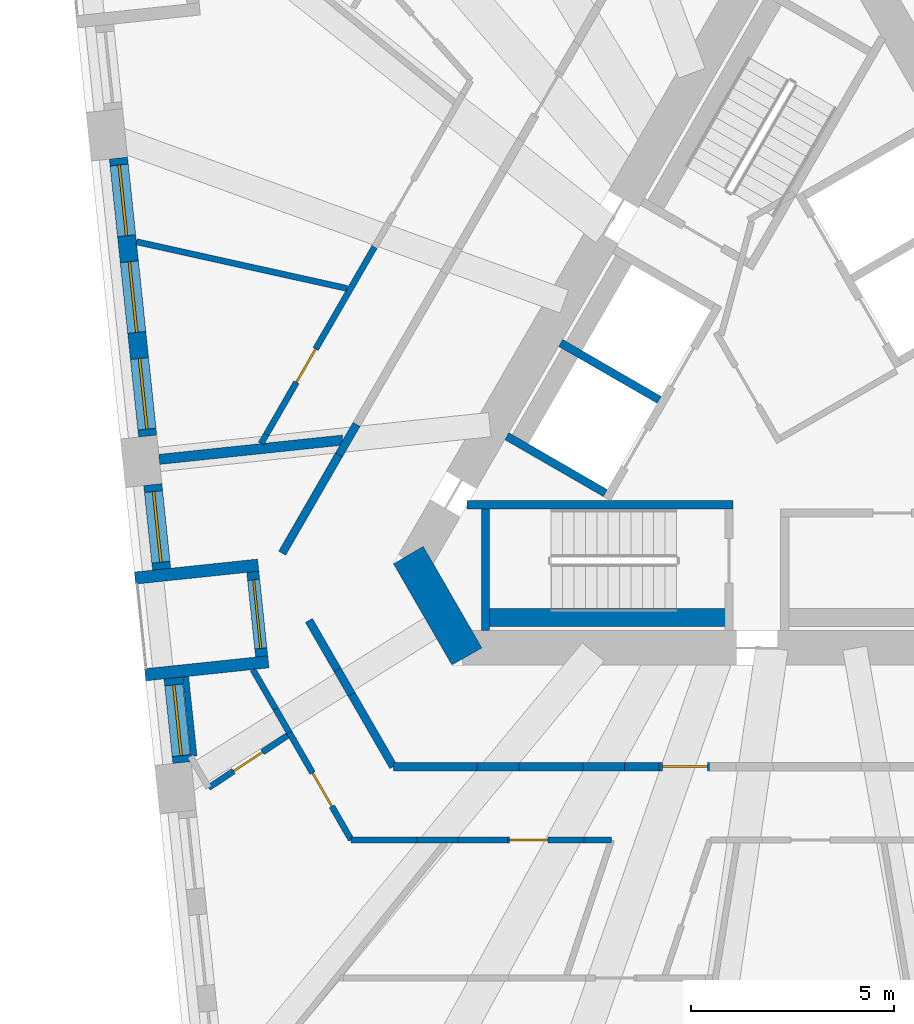
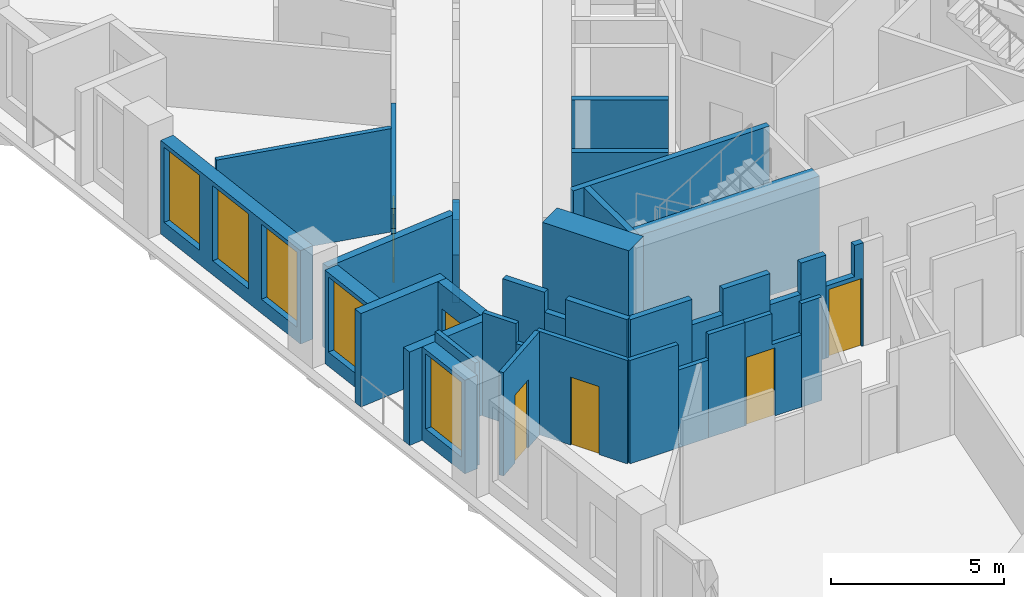
# One storey, part 3 of 14: 37 walls, 6 doors, 5 windows, 11 openings.
"""IFC4 building model written with IfcOpenShell, lengths in metres."""

from ifc_helpers import new_model, si_unit, direction, frame, frame_2d, origin, place, context, subcontext, project, spatial, polyline, rectangle, outline, extrude, material, layer, layer_set, type_object, element, fill, save


model = new_model("IFC4")

# Units and contexts
model_context = context("Model", 3, precision=1e-05, world=origin(), true_north=direction((0.0, 1.0)))
body_context = subcontext(model_context, "Body", "Model", "MODEL_VIEW")
ifc_project = project(units=[si_unit("LENGTHUNIT", "METRE"), si_unit("AREAUNIT", "SQUARE_METRE"), si_unit("VOLUMEUNIT", "CUBIC_METRE"), si_unit("PLANEANGLEUNIT", "RADIAN"), si_unit("MASSUNIT", "GRAM", prefix="KILO")], contexts=[model_context])

# Site, building, storey
site_placement = place(None, origin())
site = spatial("IfcSite", under=ifc_project, at=site_placement, CompositionType="ELEMENT")
building_placement = place(site_placement, origin())
building = spatial("IfcBuilding", under=site, at=building_placement, Name="Tramontana Tower", CompositionType="ELEMENT")
storey_placement = place(building_placement, frame((0.0, 0.0, 166.800048828125)))
storey = spatial("IfcBuildingStorey", under=building, at=storey_placement, Name="L38", CompositionType="ELEMENT", Elevation=166.800048828125)

# Wall
ifc_material_1 = material(Name="Concrete 70 MPa", Category="concrete")
ifc_layer_1 = layer(ifc_material_1, 0.85009765625)
ifc_layer_set_1 = layer_set([ifc_layer_1], Name="Core wall 850 70 MPa")
wall_type_1 = type_object("IfcWallType", Name="Core wall 850 70 MPa", PredefinedType="SHEAR", material=ifc_layer_set_1)
wall_1_placement = place(storey_placement, frame((-9.8798828125, -4.03759765625, 0.0), z_axis=(0.0, 0.0, 1.0), x_axis=(0.499995765644, -0.866027848477, 0.0)))
element("IfcWall", 1, at=wall_1_placement, inside=storey, type_object=wall_type_1, Name="Core wall C2 L38", PredefinedType="SHEAR", context=body_context, shape_type="SweptSolid", body=[
    extrude(rectangle(XDim=2.88671875, YDim=0.85009765625, at=frame_2d((1.443359375, 0.0))), origin(), (0.0, 0.0, 1.0), 4.0),
])

# Wall, opening, door
ifc_material_2 = material(Name="Blockwork", Category="masonry")
ifc_layer_2 = layer(ifc_material_2, 0.199951171875)
ifc_layer_set_2 = layer_set([ifc_layer_2], Name="ENTRY WALL 200")
wall_type_2 = type_object("IfcWallType", Name="ENTRY WALL 200", PredefinedType="SOLIDWALL", material=ifc_layer_set_2)
wall_2_placement = place(storey_placement, frame((-3.713134765625, -9.25, 0.0), z_axis=(0.0, 0.0, 1.0), x_axis=(1.0, 0.0, 0.0)))
wall_2 = element("IfcWall", 2, at=wall_2_placement, inside=storey, type_object=wall_type_2, Name="Wall v40-ew2-7", PredefinedType="SOLIDWALL", context=body_context, shape_type="SweptSolid", body=[
    extrude(outline(polyline([(0.0, 0.0), (1.2451171875, 0.0), (1.2451171875, 3.64990234375), (0.95361328125, 3.64990234375), (0.95361328125, 2.550048828125), (0.0, 2.550048828125), (0.0, 0.0)])), frame((0.0, 0.10009765625, 0.0), z_axis=(0.0, -1.0, 0.0), x_axis=(1.0, 0.0, 0.0)), (0.0, 0.0, 1.0), 0.199951171875),
])
opening_1_placement = place(wall_2_placement, frame((0.09521484375, 0.0, 0.0)))
opening_1 = element("IfcOpeningElement", 3, at=opening_1_placement, cuts=wall_2, Name="Opening B4A-23", PredefinedType="OPENING", context=body_context, shape_type="SweptSolid", body=[
    extrude(rectangle(XDim=1.10009765625, YDim=2.39990234375, at=frame_2d((0.550048828125, 1.199951171875))), frame((0.0, 0.10986328125, 0.0), z_axis=(0.0, -1.0, 0.0), x_axis=(1.0, 0.0, 0.0)), (0.0, 0.0, 1.0), 0.219970703125),
])
ifc_material_3 = material(Name="Painted timber", Category="wood")
door_type_1 = type_object("IfcDoorType", Name="DOOR ENTRY 1100", OperationType="SINGLE_SWING_LEFT", PredefinedType="DOOR", material=ifc_material_3)
door_1_placement = place(opening_1_placement, origin())
door_1 = element("IfcDoor", 4, at=door_1_placement, inside=storey, type_object=door_type_1, Name="Door B4A-23", OperationType="SINGLE_SWING_LEFT", OverallHeight=2.39990234375, OverallWidth=1.10009765625, PredefinedType="DOOR", context=body_context, shape_type="SweptSolid", body=[
    extrude(rectangle(XDim=1.10009765625, YDim=2.39990234375, at=frame_2d((0.550048828125, 1.199951171875))), frame((0.0, 0.02490234375, 0.0), z_axis=(0.0, -1.0, 0.0), x_axis=(1.0, 0.0, 0.0)), (0.0, 0.0, 1.0), 0.050048828125),
])
fill(opening_1, door_1)

# Walls
wall_3_placement = place(storey_placement, frame((-3.713134765625, -9.25, 0.0), z_axis=(0.0, 0.0, 1.0), x_axis=(-1.0, 0.0, 0.0)))
element("IfcWall", 5, at=wall_3_placement, inside=storey, type_object=wall_type_2, Name="Wall v40-ew2-8", PredefinedType="SOLIDWALL", context=body_context, shape_type="SweptSolid", body=[
    extrude(rectangle(XDim=0.84130859375, YDim=0.199951171875, at=frame_2d((0.420654296875, 0.0))), origin(), (0.0, 0.0, 1.0), 3.64990234375),
])
wall_4_placement = place(storey_placement, frame((-4.554443359375, -9.25, 0.0), z_axis=(0.0, 0.0, 1.0), x_axis=(-1.0, 0.0, 0.0)))
element("IfcWall", 6, at=wall_4_placement, inside=storey, type_object=wall_type_2, Name="Wall v40-ew2-9", PredefinedType="SOLIDWALL", context=body_context, shape_type="SweptSolid", body=[
    extrude(rectangle(XDim=1.026123046875, YDim=0.199951171875, at=frame_2d((0.51318359375, 0.0))), origin(), (0.0, 0.0, 1.0), 2.550048828125),
])
wall_5_placement = place(storey_placement, frame((-5.58056640625, -9.25, 0.0), z_axis=(0.0, 0.0, 1.0), x_axis=(-1.0, 0.0, 0.0)))
element("IfcWall", 7, at=wall_5_placement, inside=storey, type_object=wall_type_2, Name="Wall v40-ew2-10", PredefinedType="SOLIDWALL", context=body_context, shape_type="SweptSolid", body=[
    extrude(rectangle(XDim=1.57177734375, YDim=0.199951171875, at=frame_2d((0.785888671875, 0.0))), origin(), (0.0, 0.0, 1.0), 3.64990234375),
])
wall_6_placement = place(storey_placement, frame((-7.15234375, -9.25, 0.0), z_axis=(0.0, 0.0, 1.0), x_axis=(-1.0, 0.0, 0.0)))
element("IfcWall", 8, at=wall_6_placement, inside=storey, type_object=wall_type_2, Name="Wall v40-ew2-11", PredefinedType="SOLIDWALL", context=body_context, shape_type="SweptSolid", body=[
    extrude(rectangle(XDim=1.039306640625, YDim=0.199951171875, at=frame_2d((0.51953125, 0.0))), origin(), (0.0, 0.0, 1.0), 2.75),
])
wall_7_placement = place(storey_placement, frame((-8.191650390625, -9.25, 0.0), z_axis=(0.0, 0.0, 1.0), x_axis=(-1.0, 0.0, 0.0)))
element("IfcWall", 9, at=wall_7_placement, inside=storey, type_object=wall_type_2, Name="Wall v40-ew2-12", PredefinedType="SOLIDWALL", context=body_context, shape_type="SweptSolid", body=[
    extrude(rectangle(XDim=2.056396484375, YDim=0.199951171875, at=frame_2d((1.0283203125, 0.0))), origin(), (0.0, 0.0, 1.0), 3.64990234375),
])
wall_8_placement = place(storey_placement, frame((-10.248046875, -9.25, 0.0), z_axis=(0.0, 0.0, 1.0), x_axis=(-0.499941542975, 0.866059151333, 0.0)))
element("IfcWall", 10, at=wall_8_placement, inside=storey, type_object=wall_type_2, Name="Wall v40-ew3-0", PredefinedType="SOLIDWALL", context=body_context, shape_type="SweptSolid", body=[
    extrude(rectangle(XDim=2.057861328125, YDim=0.199951171875, at=frame_2d((1.02880859375, 0.0))), origin(), (0.0, 0.0, 1.0), 3.64990234375),
])
wall_9_placement = place(storey_placement, frame((-11.27685546875, -7.4677734375, 0.0), z_axis=(0.0, 0.0, 1.0), x_axis=(-0.50022532796, 0.865895271535, 0.0)))
element("IfcWall", 11, at=wall_9_placement, inside=storey, type_object=wall_type_2, Name="Wall v40-ew3-1", PredefinedType="SOLIDWALL", context=body_context, shape_type="SweptSolid", body=[
    extrude(rectangle(XDim=0.700439453125, YDim=0.199951171875, at=frame_2d((0.35009765625, 0.0))), origin(), (0.0, 0.0, 1.0), 2.949951171875),
])
wall_10_placement = place(storey_placement, frame((-11.627197265625, -6.861328125, 0.0), z_axis=(0.0, 0.0, 1.0), x_axis=(-0.49998411664, 0.866034573852, 0.0)))
element("IfcWall", 12, at=wall_10_placement, inside=storey, type_object=wall_type_2, Name="Wall v40-ew3-2", PredefinedType="SOLIDWALL", context=body_context, shape_type="SweptSolid", body=[
    extrude(rectangle(XDim=1.39990234375, YDim=0.199951171875, at=frame_2d((0.699951171875, 0.0))), origin(), (0.0, 0.0, 1.0), 3.64990234375),
])
wall_11_placement = place(storey_placement, frame((-12.986572265625, -3.993408203125, 0.0), z_axis=(0.0, 0.0, 1.0), x_axis=(0.499976698542, 0.86603885647, 0.0)))
element("IfcWall", 13, at=wall_11_placement, inside=storey, type_object=wall_type_2, Name="Wall v40-ew4-0", PredefinedType="SOLIDWALL", context=body_context, shape_type="SweptSolid", body=[
    extrude(rectangle(XDim=2.798583984375, YDim=0.199951171875, at=frame_2d((1.3994140625, 0.0))), origin(), (0.0, 0.0, 1.0), 3.64990234375),
])
wall_12_placement = place(storey_placement, frame((-11.58740234375, -1.56982421875, 0.0), z_axis=(0.0, 0.0, 1.0), x_axis=(0.500023708017, 0.866011715522, 0.0)))
element("IfcWall", 14, at=wall_12_placement, inside=storey, type_object=wall_type_2, Name="Wall v40-ew4-1", PredefinedType="SOLIDWALL", context=body_context, shape_type="SweptSolid", body=[
    extrude(rectangle(XDim=0.865234375, YDim=0.199951171875, at=frame_2d((0.4326171875, 0.0))), origin(), (0.0, 0.0, 1.0), 2.949951171875),
])

# Wall, openings, windows
ifc_material_4 = material(Name="Precast concrete 60 MPa", Category="concrete")
ifc_layer_3 = layer(ifc_material_4, 0.449951171875)
ifc_layer_set_3 = layer_set([ifc_layer_3], Name="Precast concrete 60 MPa, 450 mm")
wall_type_3 = type_object("IfcWallType", Name="EW1 Stone-faced precast wall 450", PredefinedType="SOLIDWALL", material=ifc_layer_set_3)
wall_13_placement = place(storey_placement, frame((-17.017822265625, 5.735595703125, 0.0), z_axis=(0.0, 0.0, 1.0), x_axis=(0.104531531326, -0.994521572898, 0.0)))
wall_13 = element("IfcWall", 15, at=wall_13_placement, inside=storey, type_object=wall_type_3, Name="External wall L38 face 0 bay 3", PredefinedType="SOLIDWALL", context=body_context, shape_type="SweptSolid", body=[
    extrude(rectangle(XDim=6.8828125, YDim=0.449951171875, at=frame_2d((3.44140625, 0.0))), origin(), (0.0, 0.0, 1.0), 3.300048828125),
])
opening_2_placement = place(wall_13_placement, frame((0.172119140625, 0.0, 0.5)))
opening_2 = element("IfcOpeningElement", 16, at=opening_2_placement, cuts=wall_13, Name="Opening M2", PredefinedType="OPENING", context=body_context, shape_type="SweptSolid", body=[
    extrude(rectangle(XDim=1.75, YDim=2.64990234375, at=frame_2d((0.875, 1.324951171875))), frame((0.0, 0.23486328125, 0.0), z_axis=(0.0, -1.0, 0.0), x_axis=(1.0, 0.0, 0.0)), (0.0, 0.0, 1.0), 0.469970703125),
])
opening_3_placement = place(wall_13_placement, frame((2.56640625, 0.0, 0.5)))
opening_3 = element("IfcOpeningElement", 17, at=opening_3_placement, cuts=wall_13, Name="Opening M2", PredefinedType="OPENING", context=body_context, shape_type="SweptSolid", body=[
    extrude(rectangle(XDim=1.75, YDim=2.64990234375, at=frame_2d((0.875, 1.324951171875))), frame((0.0, 0.23486328125, 0.0), z_axis=(0.0, -1.0, 0.0), x_axis=(1.0, 0.0, 0.0)), (0.0, 0.0, 1.0), 0.469970703125),
])
opening_4_placement = place(wall_13_placement, frame((4.960693359375, 0.0, 0.5)))
opening_4 = element("IfcOpeningElement", 18, at=opening_4_placement, cuts=wall_13, Name="Opening M2", PredefinedType="OPENING", context=body_context, shape_type="SweptSolid", body=[
    extrude(rectangle(XDim=1.75, YDim=2.64990234375, at=frame_2d((0.875, 1.324951171875))), frame((0.0, 0.23486328125, 0.0), z_axis=(0.0, -1.0, 0.0), x_axis=(1.0, 0.0, 0.0)), (0.0, 0.0, 1.0), 0.469970703125),
])
ifc_material_5 = material(Name="Aluminum frame, double glazing unit", Category="aluminium")
window_type = type_object("IfcWindowType", Name="M2 Window 1.75 x 2.65", PartitioningType="SINGLE_PANEL", PredefinedType="WINDOW", material=ifc_material_5)
window_1_placement = place(opening_2_placement, origin())
window_1 = element("IfcWindow", 19, at=window_1_placement, inside=storey, type_object=window_type, Name="Window M2 L38 face 0 module 7", OverallHeight=2.64990234375, OverallWidth=1.75, PartitioningType="SINGLE_PANEL", PredefinedType="WINDOW", context=body_context, shape_type="SweptSolid", body=[
    extrude(rectangle(XDim=1.75, YDim=2.64990234375, at=frame_2d((0.875, 1.324951171875))), frame((0.0, 0.030029296875, 0.0), z_axis=(0.0, -1.0, 0.0), x_axis=(1.0, 0.0, 0.0)), (0.0, 0.0, 1.0), 0.06005859375),
])
fill(opening_2, window_1)
window_2_placement = place(opening_3_placement, origin())
window_2 = element("IfcWindow", 20, at=window_2_placement, inside=storey, type_object=window_type, Name="Window M2 L38 face 0 module 8", OverallHeight=2.64990234375, OverallWidth=1.75, PartitioningType="SINGLE_PANEL", PredefinedType="WINDOW", context=body_context, shape_type="SweptSolid", body=[
    extrude(rectangle(XDim=1.75, YDim=2.64990234375, at=frame_2d((0.875, 1.324951171875))), frame((0.0, 0.030029296875, 0.0), z_axis=(0.0, -1.0, 0.0), x_axis=(1.0, 0.0, 0.0)), (0.0, 0.0, 1.0), 0.06005859375),
])
fill(opening_3, window_2)
window_3_placement = place(opening_4_placement, origin())
window_3 = element("IfcWindow", 21, at=window_3_placement, inside=storey, type_object=window_type, Name="Window M2 L38 face 0 module 9", OverallHeight=2.64990234375, OverallWidth=1.75, PartitioningType="SINGLE_PANEL", PredefinedType="WINDOW", context=body_context, shape_type="SweptSolid", body=[
    extrude(rectangle(XDim=1.75, YDim=2.64990234375, at=frame_2d((0.875, 1.324951171875))), frame((0.0, 0.030029296875, 0.0), z_axis=(0.0, -1.0, 0.0), x_axis=(1.0, 0.0, 0.0)), (0.0, 0.0, 1.0), 0.06005859375),
])
fill(opening_4, window_3)

# Wall, opening, window
wall_14_placement = place(storey_placement, frame((-16.1728515625, -2.30322265625, 0.0), z_axis=(0.0, 0.0, 1.0), x_axis=(0.104569484464, -0.994517583011, 0.0)))
wall_14 = element("IfcWall", 22, at=wall_14_placement, inside=storey, type_object=wall_type_3, Name="External wall L38 face 0 bay 4", PredefinedType="SOLIDWALL", context=body_context, shape_type="SweptSolid", body=[
    extrude(rectangle(XDim=2.09423828125, YDim=0.449951171875, at=frame_2d((1.047119140625, 0.0))), origin(), (0.0, 0.0, 1.0), 3.300048828125),
])
opening_5_placement = place(wall_14_placement, frame((0.172119140625, 0.0, 0.5)))
opening_5 = element("IfcOpeningElement", 23, at=opening_5_placement, cuts=wall_14, Name="Opening M2", PredefinedType="OPENING", context=body_context, shape_type="SweptSolid", body=[
    extrude(rectangle(XDim=1.75, YDim=2.64990234375, at=frame_2d((0.875, 1.324951171875))), frame((0.0, 0.23486328125, 0.0), z_axis=(0.0, -1.0, 0.0), x_axis=(1.0, 0.0, 0.0)), (0.0, 0.0, 1.0), 0.469970703125),
])
window_4_placement = place(opening_5_placement, origin())
window_4 = element("IfcWindow", 24, at=window_4_placement, inside=storey, type_object=window_type, Name="Window M2 L38 face 0 module 10", OverallHeight=2.64990234375, OverallWidth=1.75, PartitioningType="SINGLE_PANEL", PredefinedType="WINDOW", context=body_context, shape_type="SweptSolid", body=[
    extrude(rectangle(XDim=1.75, YDim=2.64990234375, at=frame_2d((0.875, 1.324951171875))), frame((0.0, 0.030029296875, 0.0), z_axis=(0.0, -1.0, 0.0), x_axis=(1.0, 0.0, 0.0)), (0.0, 0.0, 1.0), 0.06005859375),
])
fill(opening_5, window_4)

wall_15_placement = place(storey_placement, frame((-15.67236328125, -7.0654296875, 0.0), z_axis=(0.0, 0.0, 1.0), x_axis=(0.104557362307, -0.994518857532, 0.0)))
wall_15 = element("IfcWall", 25, at=wall_15_placement, inside=storey, type_object=wall_type_3, Name="External wall L38 face 0 bay 4", PredefinedType="SOLIDWALL", context=body_context, shape_type="SweptSolid", body=[
    extrude(rectangle(XDim=2.094482421875, YDim=0.449951171875, at=frame_2d((1.04736328125, 0.0))), origin(), (0.0, 0.0, 1.0), 3.300048828125),
])
opening_6_placement = place(wall_15_placement, frame((0.172119140625, 0.0, 0.5)))
opening_6 = element("IfcOpeningElement", 26, at=opening_6_placement, cuts=wall_15, Name="Opening M2", PredefinedType="OPENING", context=body_context, shape_type="SweptSolid", body=[
    extrude(rectangle(XDim=1.75, YDim=2.64990234375, at=frame_2d((0.875, 1.324951171875))), frame((0.0, 0.23486328125, 0.0), z_axis=(0.0, -1.0, 0.0), x_axis=(1.0, 0.0, 0.0)), (0.0, 0.0, 1.0), 0.469970703125),
])
window_5_placement = place(opening_6_placement, origin())
window_5 = element("IfcWindow", 27, at=window_5_placement, inside=storey, type_object=window_type, Name="Window M2 L38 face 0 module 12", OverallHeight=2.64990234375, OverallWidth=1.75, PartitioningType="SINGLE_PANEL", PredefinedType="WINDOW", context=body_context, shape_type="SweptSolid", body=[
    extrude(rectangle(XDim=1.75, YDim=2.64990234375, at=frame_2d((0.875, 1.324951171875))), frame((0.0, 0.030029296875, 0.0), z_axis=(0.0, -1.0, 0.0), x_axis=(1.0, 0.0, 0.0)), (0.0, 0.0, 1.0), 0.06005859375),
])
fill(opening_6, window_5)

# Wall, opening, door
ifc_material_6 = material(Name="Precast concrete 60 MPa", Category="concrete")
ifc_layer_4 = layer(ifc_material_6, 0.300048828125)
ifc_layer_set_4 = layer_set([ifc_layer_4], Name="LW1 Stone-faced loggia wall 300")
wall_type_4 = type_object("IfcWallType", Name="LW1 Stone-faced loggia wall 300", PredefinedType="SOLIDWALL", material=ifc_layer_set_4)
wall_16_placement = place(storey_placement, frame((-13.709716796875, -4.45166015625, 0.0), z_axis=(0.0, 0.0, 1.0), x_axis=(0.104442071108, -0.994530971756, 0.0)))
wall_16 = element("IfcWall", 28, at=wall_16_placement, inside=storey, type_object=wall_type_4, Name="Loggia wall L38 G4S0.10", PredefinedType="SOLIDWALL", context=body_context, shape_type="SweptSolid", body=[
    extrude(rectangle(XDim=2.094482421875, YDim=0.300048828125, at=frame_2d((1.04736328125, 0.0))), origin(), (0.0, 0.0, 1.0), 3.300048828125),
])
opening_7_placement = place(wall_16_placement, frame((0.197265625, 0.0, 0.0)))
opening_7 = element("IfcOpeningElement", 29, at=opening_7_placement, cuts=wall_16, Name="Opening BD-4S0-10", PredefinedType="OPENING", context=body_context, shape_type="SweptSolid", body=[
    extrude(rectangle(XDim=1.699951171875, YDim=2.449951171875, at=frame_2d((0.85009765625, 1.22509765625))), frame((0.0, 0.159912109375, 0.0), z_axis=(0.0, -1.0, 0.0), x_axis=(1.0, 0.0, 0.0)), (0.0, 0.0, 1.0), 0.320068359375),
])
ifc_material_7 = material(Name="Aluminum frame, double glazing unit", Category="aluminium")
door_type_2 = type_object("IfcDoorType", Name="BD2 Sliding door 1.7 x 2.45", OperationType="SLIDING_TO_LEFT", PredefinedType="DOOR", material=ifc_material_7)
door_2_placement = place(opening_7_placement, origin())
door_2 = element("IfcDoor", 30, at=door_2_placement, inside=storey, type_object=door_type_2, Name="Loggia door L38 G4S0.10", OperationType="SLIDING_TO_LEFT", OverallHeight=2.449951171875, OverallWidth=1.699951171875, PredefinedType="DOOR", context=body_context, shape_type="SweptSolid", body=[
    extrude(rectangle(XDim=1.699951171875, YDim=2.449951171875, at=frame_2d((0.85009765625, 1.22509765625))), frame((0.0, 0.02490234375, 0.0), z_axis=(0.0, -1.0, 0.0), x_axis=(1.0, 0.0, 0.0)), (0.0, 0.0, 1.0), 0.050048828125),
])
fill(opening_7, door_2)

# Walls
for number, where, z_axis, x_axis, name in (
    (31, (-16.609619140625, -4.605712890625, 0.0), (0.0, 0.0, 1.0), (0.994521230707, 0.104534786906, 0.0), "Loggia return L38 G4S0.10a"),
    (32, (-16.359375, -6.98681640625, 0.0), (0.0, 0.0, 1.0), (0.994521230707, 0.104534786906, 0.0), "Loggia return L38 G4S0.10b"),
):
    element("IfcWall", number, at=place(storey_placement, frame(where, z_axis=z_axis, x_axis=x_axis)), inside=storey, type_object=wall_type_4, Name=name, PredefinedType="SOLIDWALL", context=body_context, shape_type="SweptSolid", body=[
        extrude(rectangle(XDim=3.050048828125, YDim=0.300048828125, at=frame_2d((1.52490234375, 0.0))), origin(), (0.0, 0.0, 1.0), 3.300048828125),
    ])
ifc_material_8 = material(Name="Gypsum board partition")
ifc_layer_5 = layer(ifc_material_8, 0.14990234375)
ifc_layer_set_5 = layer_set([ifc_layer_5], Name="PARTITION 150")
wall_type_5 = type_object("IfcWallType", Name="PARTITION 150", PredefinedType="PARTITIONING", material=ifc_layer_set_5)
wall_17_placement = place(storey_placement, frame((-15.158447265625, -8.98974609375, 0.0), z_axis=(0.0, 0.0, 1.0), x_axis=(-0.104490984784, 0.994525833802, 0.0)))
element("IfcWall", 33, at=wall_17_placement, inside=storey, type_object=wall_type_5, Name="Wall v40-pw00", PredefinedType="PARTITIONING", context=body_context, shape_type="SweptSolid", body=[
    extrude(rectangle(XDim=1.96728515625, YDim=0.14990234375, at=frame_2d((0.983642578125, 0.0))), origin(), (0.0, 0.0, 1.0), 3.64990234375),
])
wall_18_placement = place(storey_placement, frame((-13.50634765625, -1.2939453125, 0.0), z_axis=(0.0, 0.0, 1.0), x_axis=(0.499239477509, 0.866464046627, 0.0)))
element("IfcWall", 34, at=wall_18_placement, inside=storey, type_object=wall_type_5, Name="Wall v40-pw03-0", PredefinedType="PARTITIONING", context=body_context, shape_type="SweptSolid", body=[
    extrude(rectangle(XDim=0.2626953125, YDim=0.14990234375, at=frame_2d((0.13134765625, 0.0))), origin(), (0.0, 0.0, 1.0), 2.949951171875),
])

# Wall, opening, door
wall_19_placement = place(storey_placement, frame((-13.375244140625, -1.06640625, 0.0), z_axis=(0.0, 0.0, 1.0), x_axis=(0.500004172341, 0.866022994869, 0.0)))
wall_19 = element("IfcWall", 35, at=wall_19_placement, inside=storey, type_object=wall_type_5, Name="Wall v40-pw03-1", PredefinedType="PARTITIONING", context=body_context, shape_type="SweptSolid", body=[
    extrude(rectangle(XDim=5.326171875, YDim=0.14990234375, at=frame_2d((2.6630859375, 0.0))), origin(), (0.0, 0.0, 1.0), 3.64990234375),
])
opening_8_placement = place(wall_19_placement, frame((1.479248046875, 0.0, 0.0)))
opening_8 = element("IfcOpeningElement", 36, at=opening_8_placement, cuts=wall_19, Name="Opening B4A-06", PredefinedType="OPENING", context=body_context, shape_type="SweptSolid", body=[
    extrude(rectangle(XDim=0.949951171875, YDim=2.39990234375, at=frame_2d((0.47509765625, 1.199951171875))), frame((0.0, 0.0849609375, 0.0), z_axis=(0.0, -1.0, 0.0), x_axis=(1.0, 0.0, 0.0)), (0.0, 0.0, 1.0), 0.169921875),
])
ifc_material_9 = material(Name="Painted timber", Category="wood")
door_type_3 = type_object("IfcDoorType", Name="DOOR ROOM 950", OperationType="SINGLE_SWING_LEFT", PredefinedType="DOOR", material=ifc_material_9)
door_3_placement = place(opening_8_placement, origin())
door_3 = element("IfcDoor", 37, at=door_3_placement, inside=storey, type_object=door_type_3, Name="Door B4A-06", OperationType="SINGLE_SWING_RIGHT", OverallHeight=2.39990234375, OverallWidth=0.949951171875, PredefinedType="DOOR", context=body_context, shape_type="SweptSolid", body=[
    extrude(rectangle(XDim=0.949951171875, YDim=2.39990234375, at=frame_2d((0.47509765625, 1.199951171875))), frame((0.0, 0.02490234375, 0.0), z_axis=(0.0, -1.0, 0.0), x_axis=(1.0, 0.0, 0.0)), (0.0, 0.0, 1.0), 0.050048828125),
])
fill(opening_8, door_3)

wall_20_placement = place(storey_placement, frame((-14.79931640625, -9.766845703125, 0.0), z_axis=(0.0, 0.0, 1.0), x_axis=(0.834605551229, 0.5508480497, 0.0)))
wall_20 = element("IfcWall", 38, at=wall_20_placement, inside=storey, type_object=wall_type_5, Name="Wall v40-pw04", PredefinedType="PARTITIONING", context=body_context, shape_type="SweptSolid", body=[
    extrude(rectangle(XDim=2.3291015625, YDim=0.14990234375, at=frame_2d((1.16455078125, 0.0))), origin(), (0.0, 0.0, 1.0), 3.64990234375),
])
opening_9_placement = place(wall_20_placement, frame((0.739501953125, 0.0, 0.0)))
opening_9 = element("IfcOpeningElement", 39, at=opening_9_placement, cuts=wall_20, Name="Opening B4A-14", PredefinedType="OPENING", context=body_context, shape_type="SweptSolid", body=[
    extrude(rectangle(XDim=0.85009765625, YDim=2.39990234375, at=frame_2d((0.425048828125, 1.199951171875))), frame((0.0, 0.0849609375, 0.0), z_axis=(0.0, -1.0, 0.0), x_axis=(1.0, 0.0, 0.0)), (0.0, 0.0, 1.0), 0.169921875),
])
ifc_material_10 = material(Name="Painted timber", Category="wood")
door_type_4 = type_object("IfcDoorType", Name="DOOR BATH 850", OperationType="SINGLE_SWING_LEFT", PredefinedType="DOOR", material=ifc_material_10)
door_4_placement = place(opening_9_placement, origin())
door_4 = element("IfcDoor", 40, at=door_4_placement, inside=storey, type_object=door_type_4, Name="Door B4A-14", OperationType="SINGLE_SWING_RIGHT", OverallHeight=2.39990234375, OverallWidth=0.85009765625, PredefinedType="DOOR", context=body_context, shape_type="SweptSolid", body=[
    extrude(rectangle(XDim=0.85009765625, YDim=2.39990234375, at=frame_2d((0.425048828125, 1.199951171875))), frame((0.0, 0.02490234375, 0.0), z_axis=(0.0, -1.0, 0.0), x_axis=(1.0, 0.0, 0.0)), (0.0, 0.0, 1.0), 0.050048828125),
])
fill(opening_9, door_4)

# Wall
wall_21_placement = place(storey_placement, frame((-11.387939453125, 2.525634765625, 0.0), z_axis=(0.0, 0.0, 1.0), x_axis=(-0.976268081413, 0.216565540229, 0.0)))
element("IfcWall", 41, at=wall_21_placement, inside=storey, type_object=wall_type_5, Name="Wall v40-pw07", PredefinedType="PARTITIONING", context=body_context, shape_type="SweptSolid", body=[
    extrude(rectangle(XDim=5.31298828125, YDim=0.14990234375, at=frame_2d((2.656494140625, 0.0))), origin(), (0.0, 0.0, 1.0), 3.64990234375),
])

# Wall, opening, door
wall_22_placement = place(storey_placement, frame((-11.287353515625, -11.050048828125, 0.0), z_axis=(0.0, 0.0, 1.0), x_axis=(-0.499958377808, 0.866049433035, 0.0)))
wall_22 = element("IfcWall", 42, at=wall_22_placement, inside=storey, type_object=wall_type_5, Name="Wall v40-pw08-0", PredefinedType="PARTITIONING", context=body_context, shape_type="SweptSolid", body=[
    extrude(rectangle(XDim=3.045654296875, YDim=0.14990234375, at=frame_2d((1.52294921875, 0.0))), origin(), (0.0, 0.0, 1.0), 3.64990234375),
])
opening_10_placement = place(wall_22_placement, frame((0.9501953125, 0.0, 0.0)))
opening_10 = element("IfcOpeningElement", 43, at=opening_10_placement, cuts=wall_22, Name="Opening B4A-11", PredefinedType="OPENING", context=body_context, shape_type="SweptSolid", body=[
    extrude(rectangle(XDim=0.949951171875, YDim=2.39990234375, at=frame_2d((0.47509765625, 1.199951171875))), frame((0.0, 0.0849609375, 0.0), z_axis=(0.0, -1.0, 0.0), x_axis=(1.0, 0.0, 0.0)), (0.0, 0.0, 1.0), 0.169921875),
])
door_5_placement = place(opening_10_placement, origin())
door_5 = element("IfcDoor", 44, at=door_5_placement, inside=storey, type_object=door_type_3, Name="Door B4A-11", OperationType="SINGLE_SWING_LEFT", OverallHeight=2.39990234375, OverallWidth=0.949951171875, PredefinedType="DOOR", context=body_context, shape_type="SweptSolid", body=[
    extrude(rectangle(XDim=0.949951171875, YDim=2.39990234375, at=frame_2d((0.47509765625, 1.199951171875))), frame((0.0, 0.02490234375, 0.0), z_axis=(0.0, -1.0, 0.0), x_axis=(1.0, 0.0, 0.0)), (0.0, 0.0, 1.0), 0.050048828125),
])
fill(opening_10, door_5)

# Walls
wall_23_placement = place(storey_placement, frame((-12.81005859375, -8.412353515625, 0.0), z_axis=(0.0, 0.0, 1.0), x_axis=(-0.499910196476, 0.866077245666, 0.0)))
element("IfcWall", 45, at=wall_23_placement, inside=storey, type_object=wall_type_5, Name="Wall v40-pw08-1", PredefinedType="PARTITIONING", context=body_context, shape_type="SweptSolid", body=[
    extrude(rectangle(XDim=0.67529296875, YDim=0.14990234375, at=frame_2d((0.337646484375, 0.0))), origin(), (0.0, 0.0, 1.0), 2.949951171875),
])
wall_24_placement = place(storey_placement, frame((-13.147705078125, -7.827392578125, 0.0), z_axis=(0.0, 0.0, 1.0), x_axis=(-0.499942933724, 0.866058348508, 0.0)))
element("IfcWall", 46, at=wall_24_placement, inside=storey, type_object=wall_type_5, Name="Wall v40-pw08-2", PredefinedType="PARTITIONING", context=body_context, shape_type="SweptSolid", body=[
    extrude(rectangle(XDim=1.118408203125, YDim=0.14990234375, at=frame_2d((0.55908203125, 0.0))), origin(), (0.0, 0.0, 1.0), 3.64990234375),
])
wall_25_placement = place(storey_placement, frame((-4.880859375, -11.050048828125, 0.0), z_axis=(0.0, 0.0, 1.0), x_axis=(-1.0, 0.0, 0.0)))
element("IfcWall", 47, at=wall_25_placement, inside=storey, type_object=wall_type_5, Name="Wall v40-pw15-0", PredefinedType="PARTITIONING", context=body_context, shape_type="SweptSolid", body=[
    extrude(rectangle(XDim=0.673828125, YDim=0.14990234375, at=frame_2d((0.3369140625, 0.0))), origin(), (0.0, 0.0, 1.0), 3.64990234375),
])

# Wall, opening, door
wall_26_placement = place(storey_placement, frame((-5.5546875, -11.050048828125, 0.0), z_axis=(0.0, 0.0, 1.0), x_axis=(-1.0, 0.0, 0.0)))
wall_26 = element("IfcWall", 48, at=wall_26_placement, inside=storey, type_object=wall_type_5, Name="Wall v40-pw15-1", PredefinedType="PARTITIONING", context=body_context, shape_type="SweptSolid", body=[
    extrude(outline(polyline([(0.0, 0.0), (1.88818359375, 0.0), (1.887939453125, 3.64990234375), (0.997802734375, 3.64990234375), (0.997802734375, 2.550048828125), (0.0, 2.550048828125), (0.0, 0.0)])), frame((0.0, 0.074951171875, 0.0), z_axis=(0.0, -1.0, 0.0), x_axis=(1.0, 0.0, 0.0)), (0.0, 0.0, 1.0), 0.14990234375),
])
opening_11_placement = place(wall_26_placement, frame((0.887939453125, 0.0, 0.0)))
opening_11 = element("IfcOpeningElement", 49, at=opening_11_placement, cuts=wall_26, Name="Opening B4A-08", PredefinedType="OPENING", context=body_context, shape_type="SweptSolid", body=[
    extrude(rectangle(XDim=0.949951171875, YDim=2.39990234375, at=frame_2d((0.47509765625, 1.199951171875))), frame((0.0, 0.0849609375, 0.0), z_axis=(0.0, -1.0, 0.0), x_axis=(1.0, 0.0, 0.0)), (0.0, 0.0, 1.0), 0.169921875),
])
door_6_placement = place(opening_11_placement, origin())
door_6 = element("IfcDoor", 50, at=door_6_placement, inside=storey, type_object=door_type_3, Name="Door B4A-08", OperationType="SINGLE_SWING_RIGHT", OverallHeight=2.39990234375, OverallWidth=0.949951171875, PredefinedType="DOOR", context=body_context, shape_type="SweptSolid", body=[
    extrude(rectangle(XDim=0.949951171875, YDim=2.39990234375, at=frame_2d((0.47509765625, 1.199951171875))), frame((0.0, 0.02490234375, 0.0), z_axis=(0.0, -1.0, 0.0), x_axis=(1.0, 0.0, 0.0)), (0.0, 0.0, 1.0), 0.050048828125),
])
fill(opening_11, door_6)

# Walls
wall_27_placement = place(storey_placement, frame((-7.44287109375, -11.050048828125, 0.0), z_axis=(0.0, 0.0, 1.0), x_axis=(-1.0, 0.0, 0.0)))
element("IfcWall", 51, at=wall_27_placement, inside=storey, type_object=wall_type_5, Name="Wall v40-pw15-2", PredefinedType="PARTITIONING", context=body_context, shape_type="SweptSolid", body=[
    extrude(rectangle(XDim=1.21875, YDim=0.14990234375, at=frame_2d((0.609375, 0.0))), origin(), (0.0, 0.0, 1.0), 3.64990234375),
])
wall_28_placement = place(storey_placement, frame((-8.66162109375, -11.050048828125, 0.0), z_axis=(0.0, 0.0, 1.0), x_axis=(-1.0, 0.0, 0.0)))
element("IfcWall", 52, at=wall_28_placement, inside=storey, type_object=wall_type_5, Name="Wall v40-pw15-3", PredefinedType="PARTITIONING", context=body_context, shape_type="SweptSolid", body=[
    extrude(rectangle(XDim=1.0068359375, YDim=0.14990234375, at=frame_2d((0.50341796875, 0.0))), origin(), (0.0, 0.0, 1.0), 2.75),
])
wall_29_placement = place(storey_placement, frame((-9.66845703125, -11.050048828125, 0.0), z_axis=(0.0, 0.0, 1.0), x_axis=(-1.0, 0.0, 0.0)))
element("IfcWall", 53, at=wall_29_placement, inside=storey, type_object=wall_type_5, Name="Wall v40-pw15-4", PredefinedType="PARTITIONING", context=body_context, shape_type="SweptSolid", body=[
    extrude(rectangle(XDim=1.61865234375, YDim=0.14990234375, at=frame_2d((0.809326171875, 0.0))), origin(), (0.0, 0.0, 1.0), 3.64990234375),
])
ifc_material_11 = material(Name="Blockwork", Category="masonry")
ifc_layer_6 = layer(ifc_material_11, 0.25)
ifc_layer_set_6 = layer_set([ifc_layer_6], Name="PARTY WALL 250")
wall_type_6 = type_object("IfcWallType", Name="PARTY WALL 250", PredefinedType="SOLIDWALL", material=ifc_layer_set_6)
wall_30_placement = place(storey_placement, frame((-11.493896484375, -1.2080078125, 0.0), z_axis=(0.0, 0.0, 1.0), x_axis=(-0.99452163766, -0.104530915171, 0.0)))
element("IfcWall", 54, at=wall_30_placement, inside=storey, type_object=wall_type_6, Name="Wall v40-pw05-0", PredefinedType="SOLIDWALL", context=body_context, shape_type="SweptSolid", body=[
    extrude(rectangle(XDim=4.542724609375, YDim=0.25, at=frame_2d((2.271484375, 0.0))), origin(), (0.0, 0.0, 1.0), 2.949951171875),
])
ifc_material_12 = material(Name="Concrete 70 MPa", Category="concrete")
ifc_layer_7 = layer(ifc_material_12, 0.449951171875)
ifc_layer_set_7 = layer_set([ifc_layer_7], Name="Concrete 70 MPa, 450 mm")
wall_type_7 = type_object("IfcWallType", Name="RC SHAFT BACK WALL 450", PredefinedType="SOLIDWALL", material=ifc_layer_set_7)
wall_31_placement = place(storey_placement, frame((-8.080078125, -5.574951171875, 0.0), z_axis=(0.0, 0.0, 1.0), x_axis=(1.0, 0.0, 0.0)))
element("IfcWall", 55, at=wall_31_placement, inside=storey, type_object=wall_type_7, Name="Wall st2-back", PredefinedType="SOLIDWALL", context=body_context, shape_type="SweptSolid", body=[
    extrude(rectangle(XDim=6.2001953125, YDim=0.449951171875, at=frame_2d((3.10009765625, 0.0))), origin(), (0.0, 0.0, 1.0), 3.64990234375),
])
ifc_material_13 = material(Name="Concrete 70 MPa", Category="concrete")
ifc_layer_8 = layer(ifc_material_13, 0.199951171875)
ifc_layer_set_8 = layer_set([ifc_layer_8], Name="Concrete 70 MPa, 200 mm")
wall_type_8 = type_object("IfcWallType", Name="RC STAIR AND SHAFT WALL 200", PredefinedType="SOLIDWALL", material=ifc_layer_set_8)
wall_32_placement = place(storey_placement, frame((-8.42919921875, -2.800048828125, 0.0), z_axis=(0.0, 0.0, 1.0), x_axis=(1.0, 0.0, 0.0)))
element("IfcWall", 56, at=wall_32_placement, inside=storey, type_object=wall_type_8, Name="Wall st2-front", PredefinedType="SOLIDWALL", context=body_context, shape_type="SweptSolid", body=[
    extrude(rectangle(XDim=6.54931640625, YDim=0.199951171875, at=frame_2d((3.274658203125, 0.0))), origin(), (0.0, 0.0, 1.0), 3.64990234375),
])
wall_33_placement = place(storey_placement, frame((-7.97998046875, -2.89990234375, 0.0), z_axis=(0.0, 0.0, 1.0), x_axis=(0.0, -1.0, 0.0)))
element("IfcWall", 57, at=wall_33_placement, inside=storey, type_object=wall_type_8, Name="Wall st2-far", PredefinedType="SOLIDWALL", context=body_context, shape_type="SweptSolid", body=[
    extrude(rectangle(XDim=3.0, YDim=0.199951171875, at=frame_2d((1.5, 0.0))), origin(), (0.0, 0.0, 1.0), 3.64990234375),
])
wall_34_placement = place(storey_placement, frame((-3.70458984375, -0.216796875, 0.0), z_axis=(0.0, 0.0, 1.0), x_axis=(-0.866018616679, 0.500011755427, 0.0)))
element("IfcWall", 58, at=wall_34_placement, inside=storey, type_object=wall_type_8, Name="Wall row0-side1", PredefinedType="SOLIDWALL", context=body_context, shape_type="SweptSolid", body=[
    extrude(rectangle(XDim=2.80029296875, YDim=0.199951171875, at=frame_2d((1.400146484375, 0.0))), origin(), (0.0, 0.0, 1.0), 3.64990234375),
])
wall_35_placement = place(storey_placement, frame((-5.02978515625, -2.51171875, 0.0), z_axis=(0.0, 0.0, 1.0), x_axis=(-0.865996816683, 0.500049511043, 0.0)))
element("IfcWall", 59, at=wall_35_placement, inside=storey, type_object=wall_type_8, Name="Wall row0-side2", PredefinedType="SOLIDWALL", context=body_context, shape_type="SweptSolid", body=[
    extrude(rectangle(XDim=2.800048828125, YDim=0.199951171875, at=frame_2d((1.39990234375, 0.0))), origin(), (0.0, 0.0, 1.0), 3.64990234375),
])

save(model, "model.ifc")
